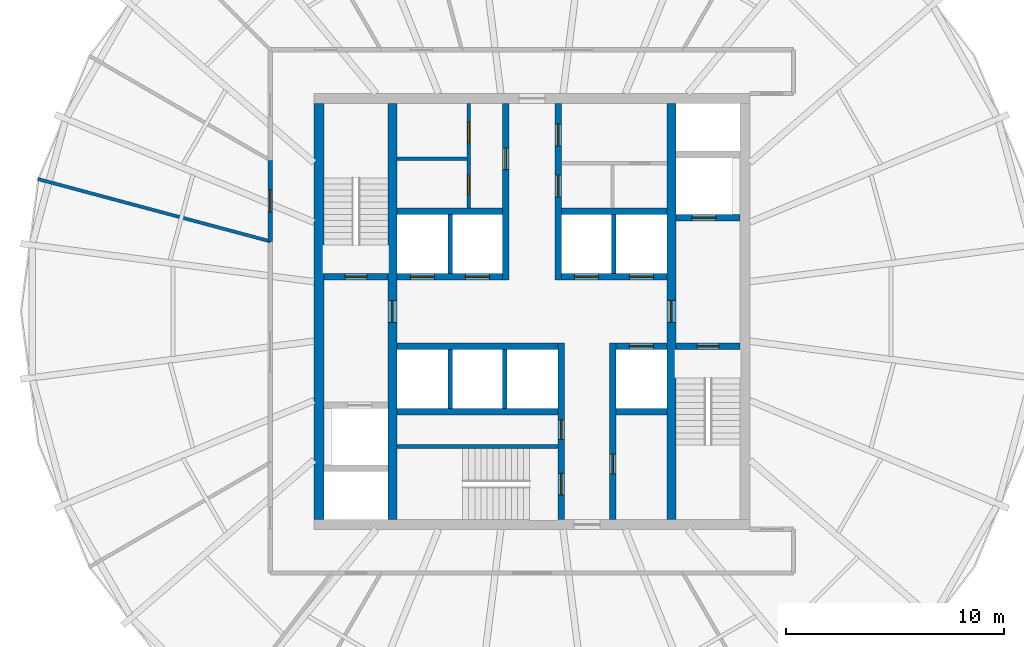
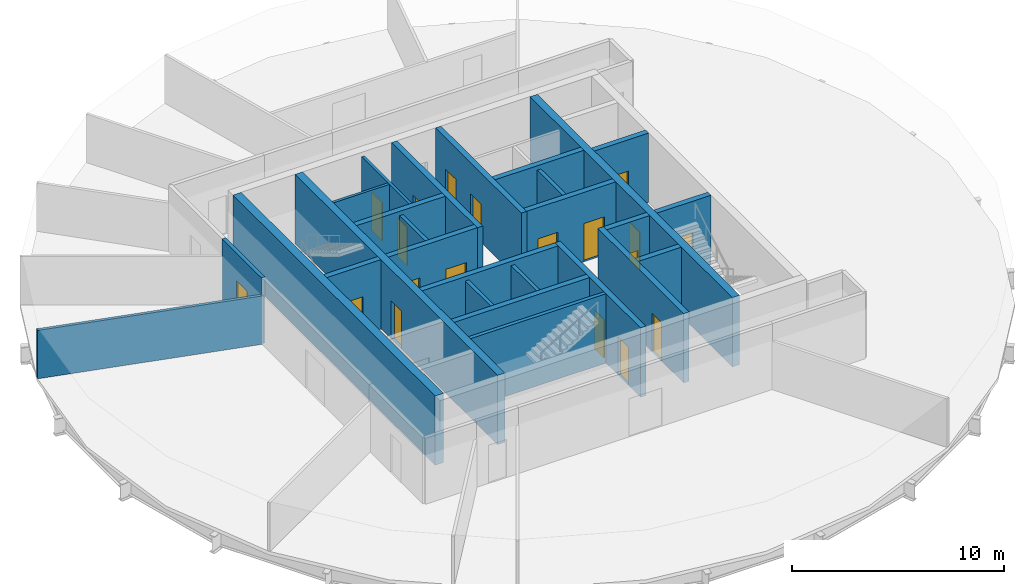
# One storey, part 3 of 5: 27 walls, 19 doors, 19 openings.
"""IFC4 building model written with IfcOpenShell, lengths in metres."""

from ifc_helpers import new_model, si_unit, direction, frame, frame_2d, origin, place, context, subcontext, project, spatial, rectangle, extrude, material, layer, layer_set, type_object, element, fill, save


model = new_model("IFC4")

# Units and contexts
model_context = context("Model", 3, precision=1e-05, world=origin(), true_north=direction((0.0, 1.0)))
body_context = subcontext(model_context, "Body", "Model", "MODEL_VIEW")
ifc_project = project(units=[si_unit("LENGTHUNIT", "METRE"), si_unit("AREAUNIT", "SQUARE_METRE"), si_unit("VOLUMEUNIT", "CUBIC_METRE"), si_unit("PLANEANGLEUNIT", "RADIAN"), si_unit("MASSUNIT", "GRAM", prefix="KILO")], contexts=[model_context])

# Site, building, storey
site_placement = place(None, origin())
site = spatial("IfcSite", under=ifc_project, at=site_placement, CompositionType="ELEMENT")
building_placement = place(site_placement, origin())
building = spatial("IfcBuilding", under=site, at=building_placement, Name="Golbaran Civic Tower", CompositionType="ELEMENT")
storey_placement = place(building_placement, frame((0.0, 0.0, 207.0)))
storey = spatial("IfcBuildingStorey", under=building, at=storey_placement, Name="L50", CompositionType="ELEMENT", Elevation=207.0)

# Wall, opening, door
ifc_material_1 = material(Name="Concrete C50/60", Category="concrete")
ifc_layer_1 = layer(ifc_material_1, 0.39990234375, Name="Concrete C50/60")
ifc_layer_set_1 = layer_set([ifc_layer_1], Name="Concrete C50/60")
wall_type_1 = type_object("IfcWallType", Name="CORE WALL CONCRETE 400", PredefinedType="SOLIDWALL", material=ifc_layer_set_1)
wall_1_placement = place(storey_placement, frame((-6.39990234375, -9.550048828125, 0.0), z_axis=(0.0, 0.0, 1.0), x_axis=(0.0, 1.0, 0.0)))
wall_1 = element("IfcWall", 1, at=wall_1_placement, inside=storey, type_object=wall_type_1, Name="Core wall IW L50", PredefinedType="SOLIDWALL", context=body_context, shape_type="SweptSolid", body=[
    extrude(rectangle(XDim=19.10009765625, YDim=0.39990234375, at=frame_2d((9.550048828125, 0.0))), origin(), (0.0, 0.0, 1.0), 4.0),
])
opening_1_placement = place(wall_1_placement, frame((9.050048828125, 0.0, 0.0)))
opening_1 = element("IfcOpeningElement", 2, at=opening_1_placement, cuts=wall_1, Name="Opening L50.FL1", PredefinedType="OPENING", context=body_context, shape_type="SweptSolid", body=[
    extrude(rectangle(XDim=1.0, YDim=2.199951171875, at=frame_2d((0.5, 1.10009765625))), frame((0.0, 0.2099609375, 0.0), z_axis=(0.0, -1.0, 0.0), x_axis=(1.0, 0.0, 0.0)), (0.0, 0.0, 1.0), 0.419921875),
])
ifc_material_2 = material(Name="Timber door set in steel frame", Category="steel")
door_type_1 = type_object("IfcDoorType", Name="STAIR DOOR 1000x2200", OperationType="SINGLE_SWING_LEFT", PredefinedType="DOOR", material=ifc_material_2)
door_1_placement = place(opening_1_placement, origin())
door_1 = element("IfcDoor", 3, at=door_1_placement, inside=storey, type_object=door_type_1, Name="Fire-fighting lobby FL1 door", OperationType="SINGLE_SWING_LEFT", OverallHeight=2.199951171875, OverallWidth=1.0, PredefinedType="DOOR", context=body_context, shape_type="SweptSolid", body=[
    extrude(rectangle(XDim=1.0, YDim=2.199951171875, at=frame_2d((0.5, 1.10009765625))), frame((0.0, 0.02490234375, 0.0), z_axis=(0.0, -1.0, 0.0), x_axis=(1.0, 0.0, 0.0)), (0.0, 0.0, 1.0), 0.050048828125),
])
fill(opening_1, door_1)

wall_2_placement = place(storey_placement, frame((6.39990234375, 9.550048828125, 0.0), z_axis=(0.0, 0.0, 1.0), x_axis=(0.0, -1.0, 0.0)))
wall_2 = element("IfcWall", 4, at=wall_2_placement, inside=storey, type_object=wall_type_1, Name="Core wall IE L50", PredefinedType="SOLIDWALL", context=body_context, shape_type="SweptSolid", body=[
    extrude(rectangle(XDim=19.10009765625, YDim=0.39990234375, at=frame_2d((9.550048828125, 0.0))), origin(), (0.0, 0.0, 1.0), 4.0),
])
opening_2_placement = place(wall_2_placement, frame((9.050048828125, 0.0, 0.0)))
opening_2 = element("IfcOpeningElement", 5, at=opening_2_placement, cuts=wall_2, Name="Opening L50.FL2", PredefinedType="OPENING", context=body_context, shape_type="SweptSolid", body=[
    extrude(rectangle(XDim=1.0, YDim=2.199951171875, at=frame_2d((0.5, 1.10009765625))), frame((0.0, 0.2099609375, 0.0), z_axis=(0.0, -1.0, 0.0), x_axis=(1.0, 0.0, 0.0)), (0.0, 0.0, 1.0), 0.419921875),
])
door_2_placement = place(opening_2_placement, origin())
door_2 = element("IfcDoor", 6, at=door_2_placement, inside=storey, type_object=door_type_1, Name="Fire-fighting lobby FL2 door", OperationType="SINGLE_SWING_RIGHT", OverallHeight=2.199951171875, OverallWidth=1.0, PredefinedType="DOOR", context=body_context, shape_type="SweptSolid", body=[
    extrude(rectangle(XDim=1.0, YDim=2.199951171875, at=frame_2d((0.5, 1.10009765625))), frame((0.0, 0.02490234375, 0.0), z_axis=(0.0, -1.0, 0.0), x_axis=(1.0, 0.0, 0.0)), (0.0, 0.0, 1.0), 0.050048828125),
])
fill(opening_2, door_2)

# Wall
ifc_layer_2 = layer(ifc_material_1, 0.449951171875, Name="Concrete C50/60")
ifc_layer_set_2 = layer_set([ifc_layer_2], Name="Concrete C50/60")
wall_type_2 = type_object("IfcWallType", Name="CORE WALL CONCRETE 450", PredefinedType="SOLIDWALL", material=ifc_layer_set_2)
wall_3_placement = place(storey_placement, frame((-9.77490234375, 9.550048828125, 0.0), z_axis=(0.0, 0.0, 1.0), x_axis=(0.0, -1.0, 0.0)))
element("IfcWall", 7, at=wall_3_placement, inside=storey, type_object=wall_type_2, Name="Core wall CW L50", PredefinedType="SOLIDWALL", context=body_context, shape_type="SweptSolid", body=[
    extrude(rectangle(XDim=19.10009765625, YDim=0.449951171875, at=frame_2d((9.550048828125, 0.0))), origin(), (0.0, 0.0, 1.0), 4.0),
])

# Wall, opening, door
ifc_material_3 = material(Name="Gypsum board on steel studs, fire-rated", Category="steel")
ifc_layer_3 = layer(ifc_material_3, 0.199951171875, Name="Gypsum board on steel studs, fire-rated")
ifc_layer_set_3 = layer_set([ifc_layer_3], Name="Gypsum board on steel studs, fire-rated")
wall_type_3 = type_object("IfcWallType", Name="CORRIDOR WALL 200", PredefinedType="PARTITIONING", material=ifc_layer_set_3)
wall_4_placement = place(storey_placement, frame((-12.0, 6.92822265625, 0.0), z_axis=(0.0, 0.0, 1.0), x_axis=(0.0, -1.0, 0.0)))
wall_4 = element("IfcWall", 8, at=wall_4_placement, inside=storey, type_object=wall_type_3, Name="Corridor wall L50", PredefinedType="PARTITIONING", context=body_context, shape_type="SweptSolid", body=[
    extrude(rectangle(XDim=3.712890625, YDim=0.199951171875, at=frame_2d((1.8564453125, 0.0))), origin(), (0.0, 0.0, 1.0), 3.800048828125),
])
opening_3_placement = place(wall_4_placement, frame((1.3564453125, 0.0, 0.0)))
opening_3 = element("IfcOpeningElement", 9, at=opening_3_placement, cuts=wall_4, Name="Opening L50.08", PredefinedType="OPENING", context=body_context, shape_type="SweptSolid", body=[
    extrude(rectangle(XDim=1.0, YDim=2.199951171875, at=frame_2d((0.5, 1.10009765625))), frame((0.0, 0.10986328125, 0.0), z_axis=(0.0, -1.0, 0.0), x_axis=(1.0, 0.0, 0.0)), (0.0, 0.0, 1.0), 0.219970703125),
])
door_type_2 = type_object("IfcDoorType", Name="OFFICE DOOR 1000x2200", OperationType="SINGLE_SWING_LEFT", PredefinedType="DOOR", material=ifc_material_2)
door_3_placement = place(opening_3_placement, origin())
door_3 = element("IfcDoor", 10, at=door_3_placement, inside=storey, type_object=door_type_2, Name="Project Room door L50", OperationType="SINGLE_SWING_RIGHT", OverallHeight=2.199951171875, OverallWidth=1.0, PredefinedType="DOOR", context=body_context, shape_type="SweptSolid", body=[
    extrude(rectangle(XDim=1.0, YDim=2.199951171875, at=frame_2d((0.5, 1.10009765625))), frame((0.0, 0.02490234375, 0.0), z_axis=(0.0, -1.0, 0.0), x_axis=(1.0, 0.0, 0.0)), (0.0, 0.0, 1.0), 0.050048828125),
])
fill(opening_3, door_3)

# Walls
ifc_material_4 = material(Name="Concrete block", Category="concrete")
ifc_layer_4 = layer(ifc_material_4, 0.199951171875, Name="Concrete block")
ifc_layer_set_4 = layer_set([ifc_layer_4], Name="Concrete block")
wall_type_4 = type_object("IfcWallType", Name="LIFT SEPARATOR WALL 200", PredefinedType="SOLIDWALL", material=ifc_layer_set_4)
for number, where, z_axis, x_axis, name in (
    (11, (-3.75, 1.75, 0.0), (0.0, 0.0, 1.0), (0.0, 1.0, 0.0), "Core partition SNW L50"),
    (12, (3.75, 1.75, 0.0), (0.0, 0.0, 1.0), (0.0, 1.0, 0.0), "Core partition SNE L50"),
    (13, (-3.75, -1.75, 0.0), (0.0, 0.0, 1.0), (0.0, -1.0, 0.0), "Core partition SSW L50"),
    (14, (-1.25, -1.75, 0.0), (0.0, 0.0, 1.0), (0.0, -1.0, 0.0), "Core partition SSM L50"),
):
    element("IfcWall", number, at=place(storey_placement, frame(where, z_axis=z_axis, x_axis=x_axis)), inside=storey, type_object=wall_type_4, Name=name, PredefinedType="SOLIDWALL", context=body_context, shape_type="SweptSolid", body=[
        extrude(rectangle(XDim=2.699951171875, YDim=0.199951171875, at=frame_2d((1.35009765625, 0.0))), origin(), (0.0, 0.0, 1.0), 3.75),
    ])
ifc_material_5 = material(Name="Gypsum board on steel studs", Category="steel")
ifc_layer_5 = layer(ifc_material_5, 0.14990234375, Name="Gypsum board on steel studs")
ifc_layer_set_5 = layer_set([ifc_layer_5], Name="Gypsum board on steel studs")
wall_type_5 = type_object("IfcWallType", Name="OFFICE PARTITION 150", PredefinedType="PARTITIONING", material=ifc_layer_set_5)
wall_5_placement = place(storey_placement, frame((-12.0, 3.21533203125, 0.0), z_axis=(0.0, 0.0, 1.0), x_axis=(-0.965922613384, 0.258831035528, 0.0)))
element("IfcWall", 15, at=wall_5_placement, inside=storey, type_object=wall_type_5, Name="Partition 165 L50", PredefinedType="PARTITIONING", context=body_context, shape_type="SweptSolid", body=[
    extrude(rectangle(XDim=11.052978515625, YDim=0.14990234375, at=frame_2d((5.5263671875, 0.0))), origin(), (0.0, 0.0, 1.0), 2.7900390625),
])
ifc_layer_6 = layer(ifc_material_1, 0.199951171875, Name="Concrete C50/60")
ifc_layer_set_6 = layer_set([ifc_layer_6], Name="Concrete C50/60")
wall_type_6 = type_object("IfcWallType", Name="SHAFT WALL CONCRETE 200", PredefinedType="SOLIDWALL", material=ifc_layer_set_6)
wall_6_placement = place(storey_placement, frame((-6.199951171875, -6.199951171875, 0.0), z_axis=(0.0, 0.0, 1.0), x_axis=(1.0, 0.0, 0.0)))
element("IfcWall", 16, at=wall_6_placement, inside=storey, type_object=wall_type_6, Name="Core wall S3N L50", PredefinedType="SOLIDWALL", context=body_context, shape_type="SweptSolid", body=[
    extrude(rectangle(XDim=7.39990234375, YDim=0.199951171875, at=frame_2d((3.699951171875, 0.0))), origin(), (0.0, 0.0, 1.0), 4.0),
])

# Wall, openings, doors
ifc_layer_7 = layer(ifc_material_1, 0.300048828125, Name="Concrete C50/60")
ifc_layer_set_7 = layer_set([ifc_layer_7], Name="Concrete C50/60")
wall_type_7 = type_object("IfcWallType", Name="SHAFT WALL CONCRETE 300", PredefinedType="SOLIDWALL", material=ifc_layer_set_7)
wall_7_placement = place(storey_placement, frame((-6.199951171875, 1.60009765625, 0.0), z_axis=(0.0, 0.0, 1.0), x_axis=(1.0, 0.0, 0.0)))
wall_7 = element("IfcWall", 17, at=wall_7_placement, inside=storey, type_object=wall_type_7, Name="Core wall FNW L50", PredefinedType="SOLIDWALL", context=body_context, shape_type="SweptSolid", body=[
    extrude(rectangle(XDim=4.849853515625, YDim=0.300048828125, at=frame_2d((2.4248046875, 0.0))), origin(), (0.0, 0.0, 1.0), 4.0),
])
opening_4_placement = place(wall_7_placement, frame((0.625, 0.0, 0.0)))
opening_4 = element("IfcOpeningElement", 18, at=opening_4_placement, cuts=wall_7, Name="Opening L50.LD-Z1H", PredefinedType="OPENING", context=body_context, shape_type="SweptSolid", body=[
    extrude(rectangle(XDim=1.10009765625, YDim=2.199951171875, at=frame_2d((0.550048828125, 1.10009765625))), frame((0.0, 0.159912109375, 0.0), z_axis=(0.0, -1.0, 0.0), x_axis=(1.0, 0.0, 0.0)), (0.0, 0.0, 1.0), 0.320068359375),
])
opening_5_placement = place(wall_7_placement, frame((3.14990234375, 0.0, 0.0)))
opening_5 = element("IfcOpeningElement", 19, at=opening_5_placement, cuts=wall_7, Name="Opening L50.LD-Z2H", PredefinedType="OPENING", context=body_context, shape_type="SweptSolid", body=[
    extrude(rectangle(XDim=1.10009765625, YDim=2.199951171875, at=frame_2d((0.550048828125, 1.10009765625))), frame((0.0, 0.159912109375, 0.0), z_axis=(0.0, -1.0, 0.0), x_axis=(1.0, 0.0, 0.0)), (0.0, 0.0, 1.0), 0.320068359375),
])
ifc_material_6 = material(Name="Stainless steel", Category="steel")
door_type_3 = type_object("IfcDoorType", Name="LIFT LANDING DOOR 1100x2200", OperationType="SLIDING_TO_LEFT", PredefinedType="DOOR", material=ifc_material_6)
door_4_placement = place(opening_4_placement, origin())
door_4 = element("IfcDoor", 20, at=door_4_placement, inside=storey, type_object=door_type_3, Name="Lift landing door Z1H", OperationType="SLIDING_TO_LEFT", OverallHeight=2.199951171875, OverallWidth=1.10009765625, PredefinedType="DOOR", context=body_context, shape_type="SweptSolid", body=[
    extrude(rectangle(XDim=1.10009765625, YDim=2.199951171875, at=frame_2d((0.550048828125, 1.10009765625))), frame((0.0, 0.02490234375, 0.0), z_axis=(0.0, -1.0, 0.0), x_axis=(1.0, 0.0, 0.0)), (0.0, 0.0, 1.0), 0.050048828125),
])
fill(opening_4, door_4)
door_5_placement = place(opening_5_placement, origin())
door_5 = element("IfcDoor", 21, at=door_5_placement, inside=storey, type_object=door_type_3, Name="Lift landing door Z2H", OperationType="SLIDING_TO_LEFT", OverallHeight=2.199951171875, OverallWidth=1.10009765625, PredefinedType="DOOR", context=body_context, shape_type="SweptSolid", body=[
    extrude(rectangle(XDim=1.10009765625, YDim=2.199951171875, at=frame_2d((0.550048828125, 1.10009765625))), frame((0.0, 0.02490234375, 0.0), z_axis=(0.0, -1.0, 0.0), x_axis=(1.0, 0.0, 0.0)), (0.0, 0.0, 1.0), 0.050048828125),
])
fill(opening_5, door_5)

wall_8_placement = place(storey_placement, frame((1.35009765625, 1.60009765625, 0.0), z_axis=(0.0, 0.0, 1.0), x_axis=(1.0, 0.0, 0.0)))
wall_8 = element("IfcWall", 22, at=wall_8_placement, inside=storey, type_object=wall_type_7, Name="Core wall FNE L50", PredefinedType="SOLIDWALL", context=body_context, shape_type="SweptSolid", body=[
    extrude(rectangle(XDim=4.849853515625, YDim=0.300048828125, at=frame_2d((2.4248046875, 0.0))), origin(), (0.0, 0.0, 1.0), 4.0),
])
opening_6_placement = place(wall_8_placement, frame((0.60009765625, 0.0, 0.0)))
opening_6 = element("IfcOpeningElement", 23, at=opening_6_placement, cuts=wall_8, Name="Opening L50.LD-Z3H", PredefinedType="OPENING", context=body_context, shape_type="SweptSolid", body=[
    extrude(rectangle(XDim=1.10009765625, YDim=2.199951171875, at=frame_2d((0.550048828125, 1.10009765625))), frame((0.0, 0.159912109375, 0.0), z_axis=(0.0, -1.0, 0.0), x_axis=(1.0, 0.0, 0.0)), (0.0, 0.0, 1.0), 0.320068359375),
])
opening_7_placement = place(wall_8_placement, frame((3.125, 0.0, 0.0)))
opening_7 = element("IfcOpeningElement", 24, at=opening_7_placement, cuts=wall_8, Name="Opening L50.LD-Z4H", PredefinedType="OPENING", context=body_context, shape_type="SweptSolid", body=[
    extrude(rectangle(XDim=1.10009765625, YDim=2.199951171875, at=frame_2d((0.550048828125, 1.10009765625))), frame((0.0, 0.159912109375, 0.0), z_axis=(0.0, -1.0, 0.0), x_axis=(1.0, 0.0, 0.0)), (0.0, 0.0, 1.0), 0.320068359375),
])
door_6_placement = place(opening_6_placement, origin())
door_6 = element("IfcDoor", 25, at=door_6_placement, inside=storey, type_object=door_type_3, Name="Lift landing door Z3H", OperationType="SLIDING_TO_LEFT", OverallHeight=2.199951171875, OverallWidth=1.10009765625, PredefinedType="DOOR", context=body_context, shape_type="SweptSolid", body=[
    extrude(rectangle(XDim=1.10009765625, YDim=2.199951171875, at=frame_2d((0.550048828125, 1.10009765625))), frame((0.0, 0.02490234375, 0.0), z_axis=(0.0, -1.0, 0.0), x_axis=(1.0, 0.0, 0.0)), (0.0, 0.0, 1.0), 0.050048828125),
])
fill(opening_6, door_6)
door_7_placement = place(opening_7_placement, origin())
door_7 = element("IfcDoor", 26, at=door_7_placement, inside=storey, type_object=door_type_3, Name="Lift landing door Z4H", OperationType="SLIDING_TO_LEFT", OverallHeight=2.199951171875, OverallWidth=1.10009765625, PredefinedType="DOOR", context=body_context, shape_type="SweptSolid", body=[
    extrude(rectangle(XDim=1.10009765625, YDim=2.199951171875, at=frame_2d((0.550048828125, 1.10009765625))), frame((0.0, 0.02490234375, 0.0), z_axis=(0.0, -1.0, 0.0), x_axis=(1.0, 0.0, 0.0)), (0.0, 0.0, 1.0), 0.050048828125),
])
fill(opening_7, door_7)

# Walls
for number, where, z_axis, x_axis, name in (
    (27, (-6.199951171875, 4.60009765625, 0.0), (0.0, 0.0, 1.0), (1.0, 0.0, 0.0), "Core wall BNW L50"),
    (28, (1.35009765625, 4.60009765625, 0.0), (0.0, 0.0, 1.0), (1.0, 0.0, 0.0), "Core wall BNE L50"),
):
    element("IfcWall", number, at=place(storey_placement, frame(where, z_axis=z_axis, x_axis=x_axis)), inside=storey, type_object=wall_type_7, Name=name, PredefinedType="SOLIDWALL", context=body_context, shape_type="SweptSolid", body=[
        extrude(rectangle(XDim=4.849853515625, YDim=0.300048828125, at=frame_2d((2.4248046875, 0.0))), origin(), (0.0, 0.0, 1.0), 4.0),
    ])

# Wall, opening, door
wall_9_placement = place(storey_placement, frame((-1.199951171875, 1.449951171875, 0.0), z_axis=(0.0, 0.0, 1.0), x_axis=(0.0, 1.0, 0.0)))
wall_9 = element("IfcWall", 29, at=wall_9_placement, inside=storey, type_object=wall_type_7, Name="Core wall PNW L50", PredefinedType="SOLIDWALL", context=body_context, shape_type="SweptSolid", body=[
    extrude(rectangle(XDim=8.10009765625, YDim=0.300048828125, at=frame_2d((4.050048828125, 0.0))), origin(), (0.0, 0.0, 1.0), 4.0),
])
opening_8_placement = place(wall_9_placement, frame((5.050048828125, 0.0, 0.0)))
opening_8 = element("IfcOpeningElement", 30, at=opening_8_placement, cuts=wall_9, Name="Opening L50.WCM", PredefinedType="OPENING", context=body_context, shape_type="SweptSolid", body=[
    extrude(rectangle(XDim=1.0, YDim=2.199951171875, at=frame_2d((0.5, 1.10009765625))), frame((0.0, 0.159912109375, 0.0), z_axis=(0.0, -1.0, 0.0), x_axis=(1.0, 0.0, 0.0)), (0.0, 0.0, 1.0), 0.320068359375),
])
door_type_4 = type_object("IfcDoorType", Name="TOILET DOOR 1000x2200", OperationType="SINGLE_SWING_LEFT", PredefinedType="DOOR", material=ifc_material_2)
door_8_placement = place(opening_8_placement, origin())
door_8 = element("IfcDoor", 31, at=door_8_placement, inside=storey, type_object=door_type_4, Name="North-west toilet block door", OperationType="SINGLE_SWING_RIGHT", OverallHeight=2.199951171875, OverallWidth=1.0, PredefinedType="DOOR", context=body_context, shape_type="SweptSolid", body=[
    extrude(rectangle(XDim=1.0, YDim=2.199951171875, at=frame_2d((0.5, 1.10009765625))), frame((0.0, 0.02490234375, 0.0), z_axis=(0.0, -1.0, 0.0), x_axis=(1.0, 0.0, 0.0)), (0.0, 0.0, 1.0), 0.050048828125),
])
fill(opening_8, door_8)

# Wall, openings, doors
wall_10_placement = place(storey_placement, frame((1.199951171875, 1.449951171875, 0.0), z_axis=(0.0, 0.0, 1.0), x_axis=(0.0, 1.0, 0.0)))
wall_10 = element("IfcWall", 32, at=wall_10_placement, inside=storey, type_object=wall_type_7, Name="Core wall PNE L50", PredefinedType="SOLIDWALL", context=body_context, shape_type="SweptSolid", body=[
    extrude(rectangle(XDim=8.10009765625, YDim=0.300048828125, at=frame_2d((4.050048828125, 0.0))), origin(), (0.0, 0.0, 1.0), 4.0),
])
opening_9_placement = place(wall_10_placement, frame((3.800048828125, 0.0, 0.0)))
opening_9 = element("IfcOpeningElement", 33, at=opening_9_placement, cuts=wall_10, Name="Opening L50.WCA", PredefinedType="OPENING", context=body_context, shape_type="SweptSolid", body=[
    extrude(rectangle(XDim=1.0, YDim=2.199951171875, at=frame_2d((0.5, 1.10009765625))), frame((0.0, 0.159912109375, 0.0), z_axis=(0.0, -1.0, 0.0), x_axis=(1.0, 0.0, 0.0)), (0.0, 0.0, 1.0), 0.320068359375),
])
opening_10_placement = place(wall_10_placement, frame((6.14990234375, 0.0, 0.0)))
opening_10 = element("IfcOpeningElement", 34, at=opening_10_placement, cuts=wall_10, Name="Opening L50.WCF", PredefinedType="OPENING", context=body_context, shape_type="SweptSolid", body=[
    extrude(rectangle(XDim=1.0, YDim=2.199951171875, at=frame_2d((0.5, 1.10009765625))), frame((0.0, 0.159912109375, 0.0), z_axis=(0.0, -1.0, 0.0), x_axis=(1.0, 0.0, 0.0)), (0.0, 0.0, 1.0), 0.320068359375),
])
door_9_placement = place(opening_9_placement, origin())
door_9 = element("IfcDoor", 35, at=door_9_placement, inside=storey, type_object=door_type_4, Name="Accessible WC door", OperationType="SINGLE_SWING_RIGHT", OverallHeight=2.199951171875, OverallWidth=1.0, PredefinedType="DOOR", context=body_context, shape_type="SweptSolid", body=[
    extrude(rectangle(XDim=1.0, YDim=2.199951171875, at=frame_2d((0.5, 1.10009765625))), frame((0.0, 0.02490234375, 0.0), z_axis=(0.0, -1.0, 0.0), x_axis=(1.0, 0.0, 0.0)), (0.0, 0.0, 1.0), 0.050048828125),
])
fill(opening_9, door_9)
door_10_placement = place(opening_10_placement, origin())
door_10 = element("IfcDoor", 36, at=door_10_placement, inside=storey, type_object=door_type_4, Name="North-east toilet block door", OperationType="SINGLE_SWING_RIGHT", OverallHeight=2.199951171875, OverallWidth=1.0, PredefinedType="DOOR", context=body_context, shape_type="SweptSolid", body=[
    extrude(rectangle(XDim=1.0, YDim=2.199951171875, at=frame_2d((0.5, 1.10009765625))), frame((0.0, 0.02490234375, 0.0), z_axis=(0.0, -1.0, 0.0), x_axis=(1.0, 0.0, 0.0)), (0.0, 0.0, 1.0), 0.050048828125),
])
fill(opening_10, door_10)

# Wall
wall_11_placement = place(storey_placement, frame((-6.199951171875, -1.60009765625, 0.0), z_axis=(0.0, 0.0, 1.0), x_axis=(1.0, 0.0, 0.0)))
element("IfcWall", 37, at=wall_11_placement, inside=storey, type_object=wall_type_7, Name="Core wall FSW L50", PredefinedType="SOLIDWALL", context=body_context, shape_type="SweptSolid", body=[
    extrude(rectangle(XDim=7.39990234375, YDim=0.300048828125, at=frame_2d((3.699951171875, 0.0))), origin(), (0.0, 0.0, 1.0), 4.0),
])

# Wall, opening, door
wall_12_placement = place(storey_placement, frame((3.85009765625, -1.60009765625, 0.0), z_axis=(0.0, 0.0, 1.0), x_axis=(1.0, 0.0, 0.0)))
wall_12 = element("IfcWall", 38, at=wall_12_placement, inside=storey, type_object=wall_type_7, Name="Core wall FSE L50", PredefinedType="SOLIDWALL", context=body_context, shape_type="SweptSolid", body=[
    extrude(rectangle(XDim=2.349853515625, YDim=0.300048828125, at=frame_2d((1.1748046875, 0.0))), origin(), (0.0, 0.0, 1.0), 4.0),
])
opening_11_placement = place(wall_12_placement, frame((0.625, 0.0, 0.0)))
opening_11 = element("IfcOpeningElement", 39, at=opening_11_placement, cuts=wall_12, Name="Opening L50.LD-V1", PredefinedType="OPENING", context=body_context, shape_type="SweptSolid", body=[
    extrude(rectangle(XDim=1.10009765625, YDim=2.199951171875, at=frame_2d((0.550048828125, 1.10009765625))), frame((0.0, 0.159912109375, 0.0), z_axis=(0.0, -1.0, 0.0), x_axis=(1.0, 0.0, 0.0)), (0.0, 0.0, 1.0), 0.320068359375),
])
door_11_placement = place(opening_11_placement, origin())
door_11 = element("IfcDoor", 40, at=door_11_placement, inside=storey, type_object=door_type_3, Name="Lift landing door V1", OperationType="SLIDING_TO_LEFT", OverallHeight=2.199951171875, OverallWidth=1.10009765625, PredefinedType="DOOR", context=body_context, shape_type="SweptSolid", body=[
    extrude(rectangle(XDim=1.10009765625, YDim=2.199951171875, at=frame_2d((0.550048828125, 1.10009765625))), frame((0.0, 0.02490234375, 0.0), z_axis=(0.0, -1.0, 0.0), x_axis=(1.0, 0.0, 0.0)), (0.0, 0.0, 1.0), 0.050048828125),
])
fill(opening_11, door_11)

# Walls
wall_13_placement = place(storey_placement, frame((-6.199951171875, -4.60009765625, 0.0), z_axis=(0.0, 0.0, 1.0), x_axis=(1.0, 0.0, 0.0)))
element("IfcWall", 41, at=wall_13_placement, inside=storey, type_object=wall_type_7, Name="Core wall BSW L50", PredefinedType="SOLIDWALL", context=body_context, shape_type="SweptSolid", body=[
    extrude(rectangle(XDim=7.39990234375, YDim=0.300048828125, at=frame_2d((3.699951171875, 0.0))), origin(), (0.0, 0.0, 1.0), 4.0),
])
wall_14_placement = place(storey_placement, frame((3.85009765625, -4.60009765625, 0.0), z_axis=(0.0, 0.0, 1.0), x_axis=(1.0, 0.0, 0.0)))
element("IfcWall", 42, at=wall_14_placement, inside=storey, type_object=wall_type_7, Name="Core wall BSE L50", PredefinedType="SOLIDWALL", context=body_context, shape_type="SweptSolid", body=[
    extrude(rectangle(XDim=2.349853515625, YDim=0.300048828125, at=frame_2d((1.1748046875, 0.0))), origin(), (0.0, 0.0, 1.0), 4.0),
])

# Wall, openings, doors
wall_15_placement = place(storey_placement, frame((1.35009765625, -1.449951171875, 0.0), z_axis=(0.0, 0.0, 1.0), x_axis=(0.0, -1.0, 0.0)))
wall_15 = element("IfcWall", 43, at=wall_15_placement, inside=storey, type_object=wall_type_7, Name="Core wall PSW L50", PredefinedType="SOLIDWALL", context=body_context, shape_type="SweptSolid", body=[
    extrude(rectangle(XDim=8.10009765625, YDim=0.300048828125, at=frame_2d((4.050048828125, 0.0))), origin(), (0.0, 0.0, 1.0), 4.0),
])
opening_12_placement = place(wall_15_placement, frame((5.97509765625, 0.0, 0.0)))
opening_12 = element("IfcOpeningElement", 44, at=opening_12_placement, cuts=wall_15, Name="Opening L50.S3", PredefinedType="OPENING", context=body_context, shape_type="SweptSolid", body=[
    extrude(rectangle(XDim=1.0, YDim=2.199951171875, at=frame_2d((0.5, 1.10009765625))), frame((0.0, 0.159912109375, 0.0), z_axis=(0.0, -1.0, 0.0), x_axis=(1.0, 0.0, 0.0)), (0.0, 0.0, 1.0), 0.320068359375),
])
opening_13_placement = place(wall_15_placement, frame((3.52490234375, 0.0, 0.0)))
opening_13 = element("IfcOpeningElement", 45, at=opening_13_placement, cuts=wall_15, Name="Opening L50.RE", PredefinedType="OPENING", context=body_context, shape_type="SweptSolid", body=[
    extrude(rectangle(XDim=0.89990234375, YDim=2.199951171875, at=frame_2d((0.449951171875, 1.10009765625))), frame((0.0, 0.159912109375, 0.0), z_axis=(0.0, -1.0, 0.0), x_axis=(1.0, 0.0, 0.0)), (0.0, 0.0, 1.0), 0.320068359375),
])
door_type_5 = type_object("IfcDoorType", Name="RISER DOOR 900x2200", OperationType="SINGLE_SWING_LEFT", PredefinedType="DOOR", material=ifc_material_2)
door_12_placement = place(opening_13_placement, origin())
door_12 = element("IfcDoor", 46, at=door_12_placement, inside=storey, type_object=door_type_5, Name="Electrical riser door", OperationType="SINGLE_SWING_LEFT", OverallHeight=2.199951171875, OverallWidth=0.89990234375, PredefinedType="DOOR", context=body_context, shape_type="SweptSolid", body=[
    extrude(rectangle(XDim=0.89990234375, YDim=2.199951171875, at=frame_2d((0.449951171875, 1.10009765625))), frame((0.0, 0.02490234375, 0.0), z_axis=(0.0, -1.0, 0.0), x_axis=(1.0, 0.0, 0.0)), (0.0, 0.0, 1.0), 0.050048828125),
])
fill(opening_13, door_12)
door_13_placement = place(opening_12_placement, origin())
door_13 = element("IfcDoor", 47, at=door_13_placement, inside=storey, type_object=door_type_1, Name="Stair S3 door", OperationType="SINGLE_SWING_RIGHT", OverallHeight=2.199951171875, OverallWidth=1.0, PredefinedType="DOOR", context=body_context, shape_type="SweptSolid", body=[
    extrude(rectangle(XDim=1.0, YDim=2.199951171875, at=frame_2d((0.5, 1.10009765625))), frame((0.0, 0.02490234375, 0.0), z_axis=(0.0, -1.0, 0.0), x_axis=(1.0, 0.0, 0.0)), (0.0, 0.0, 1.0), 0.050048828125),
])
fill(opening_12, door_13)

# Wall, opening, door
wall_16_placement = place(storey_placement, frame((3.699951171875, -1.449951171875, 0.0), z_axis=(0.0, 0.0, 1.0), x_axis=(0.0, -1.0, 0.0)))
wall_16 = element("IfcWall", 48, at=wall_16_placement, inside=storey, type_object=wall_type_7, Name="Core wall PSE L50", PredefinedType="SOLIDWALL", context=body_context, shape_type="SweptSolid", body=[
    extrude(rectangle(XDim=8.10009765625, YDim=0.300048828125, at=frame_2d((4.050048828125, 0.0))), origin(), (0.0, 0.0, 1.0), 4.0),
])
opening_14_placement = place(wall_16_placement, frame((5.10009765625, 0.0, 0.0)))
opening_14 = element("IfcOpeningElement", 49, at=opening_14_placement, cuts=wall_16, Name="Opening L50.RM", PredefinedType="OPENING", context=body_context, shape_type="SweptSolid", body=[
    extrude(rectangle(XDim=0.89990234375, YDim=2.199951171875, at=frame_2d((0.449951171875, 1.10009765625))), frame((0.0, 0.159912109375, 0.0), z_axis=(0.0, -1.0, 0.0), x_axis=(1.0, 0.0, 0.0)), (0.0, 0.0, 1.0), 0.320068359375),
])
door_14_placement = place(opening_14_placement, origin())
door_14 = element("IfcDoor", 50, at=door_14_placement, inside=storey, type_object=door_type_5, Name="Mechanical riser door", OperationType="SINGLE_SWING_RIGHT", OverallHeight=2.199951171875, OverallWidth=0.89990234375, PredefinedType="DOOR", context=body_context, shape_type="SweptSolid", body=[
    extrude(rectangle(XDim=0.89990234375, YDim=2.199951171875, at=frame_2d((0.449951171875, 1.10009765625))), frame((0.0, 0.02490234375, 0.0), z_axis=(0.0, -1.0, 0.0), x_axis=(1.0, 0.0, 0.0)), (0.0, 0.0, 1.0), 0.050048828125),
])
fill(opening_14, door_14)

wall_17_placement = place(storey_placement, frame((-9.550048828125, 1.60009765625, 0.0), z_axis=(0.0, 0.0, 1.0), x_axis=(1.0, 0.0, 0.0)))
wall_17 = element("IfcWall", 51, at=wall_17_placement, inside=storey, type_object=wall_type_7, Name="Core wall XW1 L50", PredefinedType="SOLIDWALL", context=body_context, shape_type="SweptSolid", body=[
    extrude(rectangle(XDim=2.949951171875, YDim=0.300048828125, at=frame_2d((1.47509765625, 0.0))), origin(), (0.0, 0.0, 1.0), 4.0),
])
opening_15_placement = place(wall_17_placement, frame((0.97509765625, 0.0, 0.0)))
opening_15 = element("IfcOpeningElement", 52, at=opening_15_placement, cuts=wall_17, Name="Opening L50.S1", PredefinedType="OPENING", context=body_context, shape_type="SweptSolid", body=[
    extrude(rectangle(XDim=1.0, YDim=2.199951171875, at=frame_2d((0.5, 1.10009765625))), frame((0.0, 0.159912109375, 0.0), z_axis=(0.0, -1.0, 0.0), x_axis=(1.0, 0.0, 0.0)), (0.0, 0.0, 1.0), 0.320068359375),
])
door_15_placement = place(opening_15_placement, origin())
door_15 = element("IfcDoor", 53, at=door_15_placement, inside=storey, type_object=door_type_1, Name="Stair S1 door", OperationType="SINGLE_SWING_LEFT", OverallHeight=2.199951171875, OverallWidth=1.0, PredefinedType="DOOR", context=body_context, shape_type="SweptSolid", body=[
    extrude(rectangle(XDim=1.0, YDim=2.199951171875, at=frame_2d((0.5, 1.10009765625))), frame((0.0, 0.02490234375, 0.0), z_axis=(0.0, -1.0, 0.0), x_axis=(1.0, 0.0, 0.0)), (0.0, 0.0, 1.0), 0.050048828125),
])
fill(opening_15, door_15)

wall_18_placement = place(storey_placement, frame((6.60009765625, -1.60009765625, 0.0), z_axis=(0.0, 0.0, 1.0), x_axis=(1.0, 0.0, 0.0)))
wall_18 = element("IfcWall", 54, at=wall_18_placement, inside=storey, type_object=wall_type_7, Name="Core wall XE1 L50", PredefinedType="SOLIDWALL", context=body_context, shape_type="SweptSolid", body=[
    extrude(rectangle(XDim=2.949951171875, YDim=0.300048828125, at=frame_2d((1.47509765625, 0.0))), origin(), (0.0, 0.0, 1.0), 4.0),
])
opening_16_placement = place(wall_18_placement, frame((0.97509765625, 0.0, 0.0)))
opening_16 = element("IfcOpeningElement", 55, at=opening_16_placement, cuts=wall_18, Name="Opening L50.S2", PredefinedType="OPENING", context=body_context, shape_type="SweptSolid", body=[
    extrude(rectangle(XDim=1.0, YDim=2.199951171875, at=frame_2d((0.5, 1.10009765625))), frame((0.0, 0.159912109375, 0.0), z_axis=(0.0, -1.0, 0.0), x_axis=(1.0, 0.0, 0.0)), (0.0, 0.0, 1.0), 0.320068359375),
])
door_16_placement = place(opening_16_placement, origin())
door_16 = element("IfcDoor", 56, at=door_16_placement, inside=storey, type_object=door_type_1, Name="Stair S2 door", OperationType="SINGLE_SWING_LEFT", OverallHeight=2.199951171875, OverallWidth=1.0, PredefinedType="DOOR", context=body_context, shape_type="SweptSolid", body=[
    extrude(rectangle(XDim=1.0, YDim=2.199951171875, at=frame_2d((0.5, 1.10009765625))), frame((0.0, 0.02490234375, 0.0), z_axis=(0.0, -1.0, 0.0), x_axis=(1.0, 0.0, 0.0)), (0.0, 0.0, 1.0), 0.050048828125),
])
fill(opening_16, door_16)

wall_19_placement = place(storey_placement, frame((6.60009765625, 4.300048828125, 0.0), z_axis=(0.0, 0.0, 1.0), x_axis=(1.0, 0.0, 0.0)))
wall_19 = element("IfcWall", 57, at=wall_19_placement, inside=storey, type_object=wall_type_7, Name="Core wall XE2 L50", PredefinedType="SOLIDWALL", context=body_context, shape_type="SweptSolid", body=[
    extrude(rectangle(XDim=2.949951171875, YDim=0.300048828125, at=frame_2d((1.47509765625, 0.0))), origin(), (0.0, 0.0, 1.0), 4.0),
])
opening_17_placement = place(wall_19_placement, frame((0.75, 0.0, 0.0)))
opening_17 = element("IfcOpeningElement", 58, at=opening_17_placement, cuts=wall_19, Name="Opening L50.LD-F2", PredefinedType="OPENING", context=body_context, shape_type="SweptSolid", body=[
    extrude(rectangle(XDim=1.10009765625, YDim=2.199951171875, at=frame_2d((0.550048828125, 1.10009765625))), frame((0.0, 0.159912109375, 0.0), z_axis=(0.0, -1.0, 0.0), x_axis=(1.0, 0.0, 0.0)), (0.0, 0.0, 1.0), 0.320068359375),
])
door_17_placement = place(opening_17_placement, origin())
door_17 = element("IfcDoor", 59, at=door_17_placement, inside=storey, type_object=door_type_3, Name="Lift landing door F2", OperationType="SLIDING_TO_LEFT", OverallHeight=2.199951171875, OverallWidth=1.10009765625, PredefinedType="DOOR", context=body_context, shape_type="SweptSolid", body=[
    extrude(rectangle(XDim=1.10009765625, YDim=2.199951171875, at=frame_2d((0.550048828125, 1.10009765625))), frame((0.0, 0.02490234375, 0.0), z_axis=(0.0, -1.0, 0.0), x_axis=(1.0, 0.0, 0.0)), (0.0, 0.0, 1.0), 0.050048828125),
])
fill(opening_17, door_17)

# Wall, openings, doors
ifc_material_7 = material(Name="Moisture-resistant gypsum board on steel studs", Category="steel")
ifc_layer_8 = layer(ifc_material_7, 0.14990234375, Name="Moisture-resistant gypsum board on steel studs")
ifc_layer_set_8 = layer_set([ifc_layer_8], Name="Moisture-resistant gypsum board on steel studs")
wall_type_8 = type_object("IfcWallType", Name="TOILET BLOCK PARTITION 150", PredefinedType="PARTITIONING", material=ifc_layer_set_8)
wall_20_placement = place(storey_placement, frame((-2.89990234375, 4.75, 0.0), z_axis=(0.0, 0.0, 1.0), x_axis=(0.0, 1.0, 0.0)))
wall_20 = element("IfcWall", 60, at=wall_20_placement, inside=storey, type_object=wall_type_8, Name="Toilet block partition MWL L50", PredefinedType="PARTITIONING", context=body_context, shape_type="SweptSolid", body=[
    extrude(rectangle(XDim=4.800048828125, YDim=0.14990234375, at=frame_2d((2.39990234375, 0.0))), origin(), (0.0, 0.0, 1.0), 3.75),
])
opening_18_placement = place(wall_20_placement, frame((2.949951171875, 0.0, 0.0)))
opening_18 = element("IfcOpeningElement", 61, at=opening_18_placement, cuts=wall_20, Name="Opening L50.13", PredefinedType="OPENING", context=body_context, shape_type="SweptSolid", body=[
    extrude(rectangle(XDim=1.0, YDim=2.199951171875, at=frame_2d((0.5, 1.10009765625))), frame((0.0, 0.0849609375, 0.0), z_axis=(0.0, -1.0, 0.0), x_axis=(1.0, 0.0, 0.0)), (0.0, 0.0, 1.0), 0.169921875),
])
opening_19_placement = place(wall_20_placement, frame((0.60009765625, 0.0, 0.0)))
opening_19 = element("IfcOpeningElement", 62, at=opening_19_placement, cuts=wall_20, Name="Opening L50.01", PredefinedType="OPENING", context=body_context, shape_type="SweptSolid", body=[
    extrude(rectangle(XDim=0.89990234375, YDim=2.199951171875, at=frame_2d((0.449951171875, 1.10009765625))), frame((0.0, 0.0849609375, 0.0), z_axis=(0.0, -1.0, 0.0), x_axis=(1.0, 0.0, 0.0)), (0.0, 0.0, 1.0), 0.169921875),
])
door_18_placement = place(opening_19_placement, origin())
door_18 = element("IfcDoor", 63, at=door_18_placement, inside=storey, type_object=door_type_5, Name="IT and comms room door", OperationType="SINGLE_SWING_LEFT", OverallHeight=2.199951171875, OverallWidth=0.89990234375, PredefinedType="DOOR", context=body_context, shape_type="SweptSolid", body=[
    extrude(rectangle(XDim=0.89990234375, YDim=2.199951171875, at=frame_2d((0.449951171875, 1.10009765625))), frame((0.0, 0.02490234375, 0.0), z_axis=(0.0, -1.0, 0.0), x_axis=(1.0, 0.0, 0.0)), (0.0, 0.0, 1.0), 0.050048828125),
])
fill(opening_19, door_18)
door_19_placement = place(opening_18_placement, origin())
door_19 = element("IfcDoor", 64, at=door_19_placement, inside=storey, type_object=door_type_4, Name="Female WC door", OperationType="SINGLE_SWING_RIGHT", OverallHeight=2.199951171875, OverallWidth=1.0, PredefinedType="DOOR", context=body_context, shape_type="SweptSolid", body=[
    extrude(rectangle(XDim=1.0, YDim=2.199951171875, at=frame_2d((0.5, 1.10009765625))), frame((0.0, 0.02490234375, 0.0), z_axis=(0.0, -1.0, 0.0), x_axis=(1.0, 0.0, 0.0)), (0.0, 0.0, 1.0), 0.050048828125),
])
fill(opening_18, door_19)

# Wall
wall_21_placement = place(storey_placement, frame((-6.199951171875, 7.0, 0.0), z_axis=(0.0, 0.0, 1.0), x_axis=(1.0, 0.0, 0.0)))
element("IfcWall", 65, at=wall_21_placement, inside=storey, type_object=wall_type_8, Name="Toilet block partition MWX L50", PredefinedType="PARTITIONING", context=body_context, shape_type="SweptSolid", body=[
    extrude(rectangle(XDim=3.224853515625, YDim=0.14990234375, at=frame_2d((1.6123046875, 0.0))), origin(), (0.0, 0.0, 1.0), 3.75),
])

save(model, "model.ifc")
